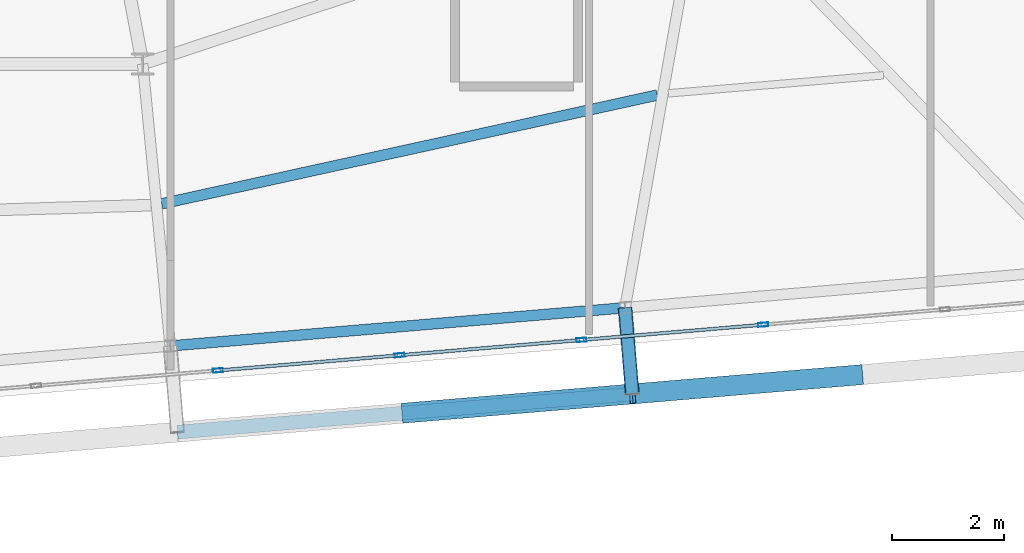
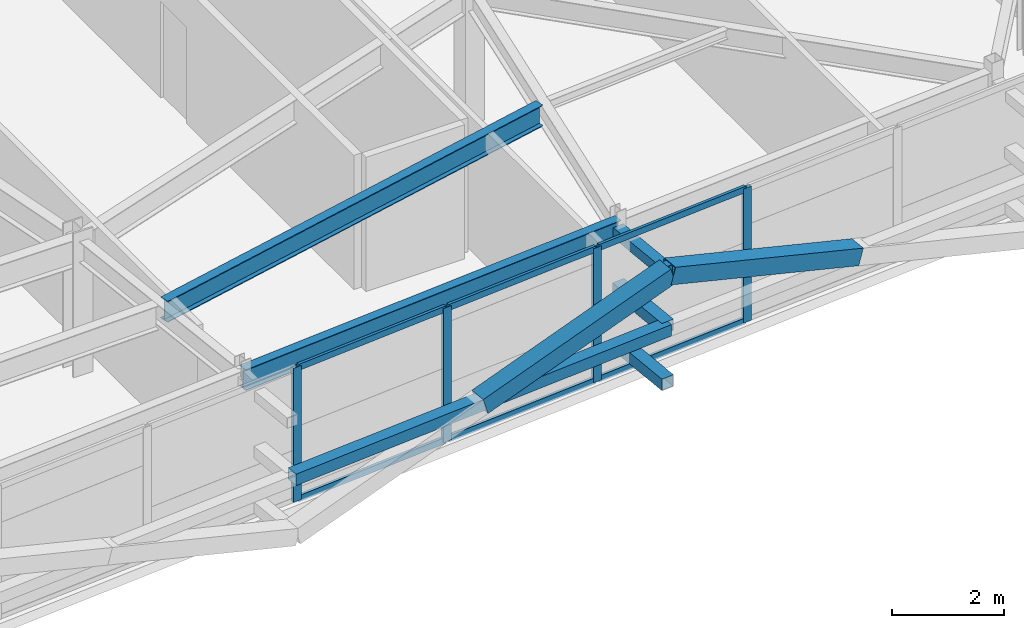
# One storey, part 19 of 46: 16 members, 2 beams, 1 element without a shape of its own.
"""IFC4 building model written with IfcOpenShell, lengths in metres."""

import ifcopenshell
import ifcopenshell.guid

model = None  # the IFC model being written
_history = None  # IfcOwnerHistory: only IFC2X3 demands one
_inside = {}  # id of a spatial element -> (the spatial element, [elements in it])
_under = {}  # id of a project, library or spatial element -> (it, [spatial elements below it])
_declared = {}  # id of a project -> (the project, [libraries it declares])
_typed = {}  # id of a type object -> (the type object, [elements of that type])
_made_of = {}  # id of a material, layer set ... -> (it, [elements and type objects made of it])


def new_model(schema):
    """Start an empty IFC model of exactly this schema.

    Asked for "IFC4X3", IfcOpenShell would pick the latest addendum, in which some entities
    have other attributes; the version numbers below select the first issue.
    IFC2X3 requires an IfcOwnerHistory on every rooted entity: one is made here for all.
    """
    global model, _history
    if schema == "IFC4X3":
        model = ifcopenshell.file(schema_version=(4, 3, 0, 0))
    else:
        model = ifcopenshell.file(schema=schema)
    _inside.clear()
    _under.clear()
    _declared.clear()
    _typed.clear()
    _made_of.clear()
    _history = None
    if model.schema == "IFC2X3":
        org = make("IfcOrganization", Name="unknown")
        user = make(
            "IfcPersonAndOrganization",
            ThePerson=make("IfcPerson", FamilyName="unknown"),
            TheOrganization=org,
        )
        app = make(
            "IfcApplication",
            ApplicationDeveloper=org,
            Version="unknown",
            ApplicationFullName="unknown",
            ApplicationIdentifier="unknown",
        )
        _history = make(
            "IfcOwnerHistory",
            OwningUser=user,
            OwningApplication=app,
            ChangeAction="ADDED",
            CreationDate=0,
        )
    return model


def make(cls, **values):
    """One entity of the class cls with the attributes given. An attribute that is None is left unset."""
    return model.create_entity(
        cls, **{name: value for name, value in values.items() if value is not None}
    )


def rooted(cls, **values):
    """An entity with a GlobalId (a new one), such as an element, a storey or a relation."""
    return make(cls, GlobalId=ifcopenshell.guid.new(), OwnerHistory=_history, **values)


def si_unit(unit_type, name, prefix=None):
    """IfcSIUnit, for example si_unit("LENGTHUNIT", "METRE", prefix="MILLI")."""
    return make("IfcSIUnit", UnitType=unit_type, Prefix=prefix, Name=name)


def assignment(units):
    """IfcUnitAssignment: the units of a project."""
    return None if units is None else make("IfcUnitAssignment", Units=units)


def point(xyz):
    """IfcCartesianPoint."""
    return None if xyz is None else make("IfcCartesianPoint", Coordinates=xyz)


def direction(xyz):
    """IfcDirection."""
    return None if xyz is None else make("IfcDirection", DirectionRatios=xyz)


def frame(location, z_axis=None, x_axis=None):
    """IfcAxis2Placement3D, a coordinate frame: its origin and axes. An axis left out is left unset."""
    return make(
        "IfcAxis2Placement3D",
        Location=point(location),
        Axis=direction(z_axis),
        RefDirection=direction(x_axis),
    )


def frame_2d(location, x_axis=None):
    """IfcAxis2Placement2D, a coordinate frame in the plane: its origin and x axis."""
    return make(
        "IfcAxis2Placement2D", Location=point(location), RefDirection=direction(x_axis)
    )


def origin():
    """The frame at (0, 0, 0) with its axes left unset."""
    return frame((0.0, 0.0, 0.0))


def origin_2d():
    """The frame at (0, 0) in the plane with its x axis left unset."""
    return frame_2d((0.0, 0.0))


def place(relative_to, where):
    """IfcLocalPlacement: puts the frame where relative to a parent placement (None: the world)."""
    return make(
        "IfcLocalPlacement", PlacementRelTo=relative_to, RelativePlacement=where
    )


def context(
    kind, dimensions, precision=None, world=None, true_north=None, identifier=None
):
    """IfcGeometricRepresentationContext, for example the 3D "Model" context."""
    return make(
        "IfcGeometricRepresentationContext",
        ContextIdentifier=identifier,
        ContextType=kind,
        CoordinateSpaceDimension=dimensions,
        Precision=precision,
        WorldCoordinateSystem=world,
        TrueNorth=true_north,
    )


def subcontext(parent, identifier, kind, view, scale=None):
    """IfcGeometricRepresentationSubContext, for example "Body" below "Model"."""
    return make(
        "IfcGeometricRepresentationSubContext",
        ContextIdentifier=identifier,
        ContextType=kind,
        ParentContext=parent,
        TargetScale=scale,
        TargetView=view,
    )


def project(units=None, contexts=None):
    """IfcProject with its units and contexts."""
    return rooted(
        "IfcProject",
        Name="project",
        RepresentationContexts=contexts,
        UnitsInContext=assignment(units),
    )


def spatial(cls, under=None, at=None, **own):
    """A site, building, storey or space (cls), placed at a placement, below another one or the project."""
    s = rooted(cls, ObjectPlacement=at, **own)
    if under is not None:
        _under.setdefault(under.id(), (under, []))[1].append(s)
    return s


def profile(cls, at=None, kind="AREA", **sizes):
    """A parametric profile (cls). Its sizes go by their IFC names, for example OverallWidth=200.0."""
    return make(cls, ProfileType=kind, Position=at, **sizes)


def hollow_rectangle(**sizes):
    """IfcRectangleHollowProfileDef."""
    return profile("IfcRectangleHollowProfileDef", **sizes)


def i_section(**sizes):
    """IfcIShapeProfileDef."""
    return profile("IfcIShapeProfileDef", **sizes)


def extrude(swept, where, along, depth):
    """IfcExtrudedAreaSolid: the profile swept, set in the frame where, extruded along a direction by depth."""
    return make(
        "IfcExtrudedAreaSolid",
        SweptArea=swept,
        Position=where,
        ExtrudedDirection=direction(along),
        Depth=depth,
    )


def shape(context_of_items, identifier, shape_type, items):
    """IfcShapeRepresentation: the items that make up one representation, for example the "Body"."""
    return make(
        "IfcShapeRepresentation",
        ContextOfItems=context_of_items,
        RepresentationIdentifier=identifier,
        RepresentationType=shape_type,
        Items=items,
    )


def source(mapping_origin, context_of_items, identifier, shape_type, items):
    """IfcRepresentationMap: a shape defined once, which mapped items show again and again."""
    return make(
        "IfcRepresentationMap",
        MappingOrigin=mapping_origin,
        MappedRepresentation=shape(context_of_items, identifier, shape_type, items),
    )


def transform(
    local_origin,
    x_axis=None,
    y_axis=None,
    z_axis=None,
    scale=None,
    scale2=None,
    scale3=None,
    uniform=True,
):
    """IfcCartesianTransformationOperator3D, or its non-uniform kind. x_axis, y_axis, z_axis: its Axis1, 2, 3."""
    if uniform:
        return make(
            "IfcCartesianTransformationOperator3D",
            Axis1=direction(x_axis),
            Axis2=direction(y_axis),
            LocalOrigin=point(local_origin),
            Scale=scale,
            Axis3=direction(z_axis),
        )
    return make(
        "IfcCartesianTransformationOperator3DnonUniform",
        Axis1=direction(x_axis),
        Axis2=direction(y_axis),
        LocalOrigin=point(local_origin),
        Scale=scale,
        Axis3=direction(z_axis),
        Scale2=scale2,
        Scale3=scale3,
    )


def mapped(mapping_source, mapping_target):
    """IfcMappedItem: shows the shape of a source again, moved by a transform."""
    return make(
        "IfcMappedItem", MappingSource=mapping_source, MappingTarget=mapping_target
    )


def material(Name=None, Category=None):
    """IfcMaterial."""
    return make("IfcMaterial", Name=Name, Category=Category)


def layer(
    of_material, thickness, ventilated=None, Name=None, Category=None, Priority=None
):
    """IfcMaterialLayer: one layer of a wall or slab, of a material (None: an air gap)."""
    return make(
        "IfcMaterialLayer",
        Material=of_material,
        LayerThickness=thickness,
        IsVentilated=ventilated,
        Name=Name,
        Category=Category,
        Priority=Priority,
    )


def layer_set(layers, Name=None):
    """IfcMaterialLayerSet."""
    return make("IfcMaterialLayerSet", MaterialLayers=layers, LayerSetName=Name)


def material_profile(
    of_material, cross_section, Name=None, Category=None, Priority=None
):
    """IfcMaterialProfile: a cross section and its material."""
    return make(
        "IfcMaterialProfile",
        Name=Name,
        Material=of_material,
        Profile=cross_section,
        Priority=Priority,
        Category=Category,
    )


def profile_set(profiles, Name=None, composite=None):
    """IfcMaterialProfileSet."""
    return make(
        "IfcMaterialProfileSet",
        Name=Name,
        MaterialProfiles=profiles,
        CompositeProfile=composite,
    )


def made_of(thing, what):
    """Note that an element or type object is made of a material, layer set ...; save() writes the relation."""
    if what is not None:
        _made_of.setdefault(what.id(), (what, []))[1].append(thing)
    return thing


def type_object(cls, material=None, **own):
    """A type object (cls), such as IfcWallType, which elements share."""
    return made_of(rooted(cls, **own), material)


def element(
    cls,
    number,
    at=None,
    inside=None,
    cuts=None,
    type_object=None,
    material=None,
    context=None,
    identifier="Body",
    shape_type=None,
    held_by="IfcProductDefinitionShape",
    body=None,
    shapes=None,
    **own,
):
    """One element of the class cls, such as IfcWall. Its Tag is "e" and its number.

    at: its placement. inside: the storey or other place that contains it. cuts: it is an
    opening in that element (IfcRelVoidsElement). A single representation is given by context,
    identifier, shape_type and body (its items); several are given by shapes. held_by: the class
    of the entity that holds the representations. save() writes the other relations.
    """
    e = rooted(cls, Tag="e%d" % number, ObjectPlacement=at, **own)
    if body is not None:
        shapes = [shape(context, identifier, shape_type, body)]
    if shapes is not None:
        e.Representation = make(held_by, Representations=shapes)
    if inside is not None:
        _inside.setdefault(inside.id(), (inside, []))[1].append(e)
    if cuts is not None:
        rooted(
            "IfcRelVoidsElement", RelatingBuildingElement=cuts, RelatedOpeningElement=e
        )
    if type_object is not None:
        _typed.setdefault(type_object.id(), (type_object, []))[1].append(e)
    return made_of(e, material)


def aggregate(whole, parts):
    """IfcRelAggregates: a whole, such as a stair, and the parts it consists of."""
    return rooted("IfcRelAggregates", RelatingObject=whole, RelatedObjects=parts)


def save(model, path):
    """Write the relations noted so far, then the file.

    IfcRelAggregates (storeys below a building ...), IfcRelContainedInSpatialStructure (elements
    in a storey), IfcRelDefinesByType, IfcRelAssociatesMaterial and IfcRelDeclares: one each for
    every whole, place, type object, material and project.
    """
    for whole, parts in _under.values():
        aggregate(whole, parts)
    for where, things in _inside.values():
        rooted(
            "IfcRelContainedInSpatialStructure",
            RelatedElements=things,
            RelatingStructure=where,
        )
    for kind, things in _typed.values():
        rooted("IfcRelDefinesByType", RelatedObjects=things, RelatingType=kind)
    for what, things in _made_of.values():
        rooted("IfcRelAssociatesMaterial", RelatedObjects=things, RelatingMaterial=what)
    for by, libraries in _declared.values():
        rooted("IfcRelDeclares", RelatingContext=by, RelatedDefinitions=libraries)
    model.write(path)


model = new_model("IFC4")

# Units and contexts
model_context = context("Model", 3, precision=1e-05, world=origin(), true_north=direction((0.0, 1.0)))
body_context = subcontext(model_context, "Body", "Model", "MODEL_VIEW")
ifc_project = project(units=[si_unit("LENGTHUNIT", "METRE"), si_unit("AREAUNIT", "SQUARE_METRE"), si_unit("VOLUMEUNIT", "CUBIC_METRE"), si_unit("PLANEANGLEUNIT", "RADIAN"), si_unit("MASSUNIT", "GRAM", prefix="KILO")], contexts=[model_context])

# Site, building, storey
site_placement = place(None, origin())
site = spatial("IfcSite", under=ifc_project, at=site_placement, CompositionType="ELEMENT")
building_placement = place(site_placement, origin())
building = spatial("IfcBuilding", under=site, at=building_placement, Name="Taldren Reach Tower", CompositionType="ELEMENT")
storey_placement = place(building_placement, frame((0.0, 0.0, 188.300048828125)))
storey = spatial("IfcBuildingStorey", under=building, at=storey_placement, Name="L57", CompositionType="ELEMENT", Elevation=188.300048828125)

# Members
ifc_material_1 = material(Name="Steel Gr 350 (C350L0)", Category="steel")
ifc_material_profile_1 = material_profile(ifc_material_1, hollow_rectangle(XDim=0.25, YDim=0.25, WallThickness=0.010009765625, at=origin_2d()), Name="250x250x10.0SHS")
ifc_profile_set_1 = profile_set([ifc_material_profile_1], Name="Steel Gr 350 (C350L0)")
member_type_1 = type_object("IfcMemberType", Name="MB-POST250", PredefinedType="POST", material=ifc_profile_set_1)
shared_shape_1 = source(origin(), body_context, "Body", "SweptSolid", [
    extrude(hollow_rectangle(XDim=0.25, YDim=0.25, WallThickness=0.010009765625, at=origin_2d()), origin(), (0.0, 0.0, 1.0), 1.550048828125),
])
for number, where, z_axis, x_axis, name in (
    (1, (50.644775390625, 4.83203125, 0.219970703125), (0.083788408178, -0.996483568683, 0.0), (0.996483568683, 0.083788408178, 0.0), "Exoskeleton base diaphragm tie strut B4-S5 L57"),
    (2, (50.644775390625, 4.83203125, 1.43505859375), (0.083788408178, -0.996483568683, 0.0), (0.996483568683, 0.083788408178, 0.0), "Exoskeleton mid-tier diaphragm tie B4-S5 L57"),
):
    element("IfcMember", number, at=place(storey_placement, frame(where, z_axis=z_axis, x_axis=x_axis)), inside=storey, type_object=member_type_1, Name=name, PredefinedType="POST", context=body_context, shape_type="MappedRepresentation", body=[
        mapped(shared_shape_1, transform((0.0, 0.0, 0.0), scale=1.0)),
    ])

# Beams
ifc_material_2 = material(Name="Steel Gr 350 (350PLUS)", Category="steel")
ifc_material_profile_2 = material_profile(ifc_material_2, i_section(OverallWidth=0.18994140625, OverallDepth=0.4541015625, WebThickness=0.008544921875, FlangeThickness=0.0126953125, at=origin_2d()), Name="460UB67.1")
ifc_profile_set_2 = profile_set([ifc_material_profile_2], Name="Steel Gr 350 (350PLUS)")
beam_type_1 = type_object("IfcBeamType", Name="SP-UB460B", PredefinedType="SPANDREL", material=ifc_profile_set_2)
shared_shape_2 = source(origin(), body_context, "Body", "SweptSolid", [
    extrude(i_section(OverallWidth=0.18994140625, OverallDepth=0.4541015625, WebThickness=0.008544921875, FlangeThickness=0.0126953125, at=origin_2d()), origin(), (0.0, 0.0, 1.0), 8.179931640625),
])
beam_1_placement = place(storey_placement, frame((42.49365234375, 4.1474609375, 2.702880859375), z_axis=(0.99649182565, 0.08369015123, 0.0), x_axis=(-0.08369015123, 0.99649182565, 0.0)))
element("IfcBeam", 3, at=beam_1_placement, inside=storey, type_object=beam_type_1, Name="Perimeter spandrel B4 S4-S5 L57", PredefinedType="SPANDREL", context=body_context, shape_type="MappedRepresentation", body=[
    mapped(shared_shape_2, transform((0.0, 0.0, 0.0), scale=1.0)),
])
ifc_material_profile_3 = material_profile(ifc_material_2, i_section(OverallWidth=0.19091796875, OverallDepth=0.4599609375, WebThickness=0.010009765625, FlangeThickness=0.01611328125, at=origin_2d()), Name="460UB82.1")
ifc_profile_set_3 = profile_set([ifc_material_profile_3], Name="Steel Gr 350 (350PLUS)")
beam_type_2 = type_object("IfcBeamType", Name="BM-UB460A", PredefinedType="BEAM", material=ifc_profile_set_3)
shared_shape_3 = source(origin(), body_context, "Body", "SweptSolid", [
    extrude(i_section(OverallWidth=0.19091796875, OverallDepth=0.4599609375, WebThickness=0.010009765625, FlangeThickness=0.01611328125, at=origin_2d()), origin(), (0.0, 0.0, 1.0), 9.09228515625),
])
beam_2_placement = place(storey_placement, frame((42.3408203125, 6.6943359375, 2.699951171875), z_axis=(0.97674420602, 0.214407919647, 0.0), x_axis=(-0.214407919647, 0.97674420602, 0.0)))
element("IfcBeam", 4, at=beam_2_placement, inside=storey, type_object=beam_type_2, Name="Secondary floor beam B4 J4 L57", PredefinedType="BEAM", context=body_context, shape_type="MappedRepresentation", body=[
    mapped(shared_shape_3, transform((0.0, 0.0, 0.0), scale=1.0)),
])

# Members
ifc_material_3 = material(Name="Steel Gr 450 (C450L0)", Category="steel")
ifc_material_profile_4 = material_profile(ifc_material_3, hollow_rectangle(XDim=0.219970703125, YDim=0.219970703125, WallThickness=0.00830078125, at=origin_2d()), Name="220x220x8.2SHS")
ifc_profile_set_4 = profile_set([ifc_material_profile_4], Name="Steel Gr 450 (C450L0)")
member_type_2 = type_object("IfcMemberType", Name="MB-TIE219", PredefinedType="STRUT", material=ifc_profile_set_4)
shared_shape_4 = source(origin(), body_context, "Body", "SweptSolid", [
    extrude(hollow_rectangle(XDim=0.219970703125, YDim=0.219970703125, WallThickness=0.00830078125, at=origin_2d()), origin(), (0.0, 0.0, 1.0), 1.550048828125),
])
member_1_placement = place(storey_placement, frame((50.644775390625, 4.83203125, 2.64990234375), z_axis=(0.083788408178, -0.996483568683, 0.0), x_axis=(0.996483568683, 0.083788408178, 0.0)))
element("IfcMember", 5, at=member_1_placement, inside=storey, type_object=member_type_2, Name="Exoskeleton diaphragm tie strut B4-S5 L57", PredefinedType="STRUT", context=body_context, shape_type="MappedRepresentation", body=[
    mapped(shared_shape_4, transform((0.0, 0.0, 0.0), scale=1.0)),
])
shared_shape_5 = source(origin(), body_context, "Body", "SweptSolid", [
    extrude(hollow_rectangle(XDim=0.25, YDim=0.25, WallThickness=0.010009765625, at=origin_2d()), origin(), (0.0, 0.0, 1.0), 8.179931640625),
])
member_2_placement = place(storey_placement, frame((42.623291015625, 2.60302734375, 1.43505859375), z_axis=(0.996494523218, 0.083658025296, 0.0), x_axis=(-0.083658025296, 0.996494523218, 0.0)))
element("IfcMember", 6, at=member_2_placement, inside=storey, type_object=member_type_1, Name="Exoskeleton mid-height ring chord B4-S4 L57", PredefinedType="POST", context=body_context, shape_type="MappedRepresentation", body=[
    mapped(shared_shape_5, transform((0.0, 0.0, 0.0), scale=1.0)),
])
ifc_material_profile_5 = material_profile(ifc_material_3, hollow_rectangle(XDim=0.360107421875, YDim=0.360107421875, WallThickness=0.0126953125, at=origin_2d()), Name="360x360x12.7SHS")
ifc_profile_set_5 = profile_set([ifc_material_profile_5], Name="Steel Gr 450 (C450L0)")
member_type_3 = type_object("IfcMemberType", Name="MB-EXO356", PredefinedType="BRACE", material=ifc_profile_set_5)
shared_shape_6 = source(origin(), body_context, "Body", "SweptSolid", [
    extrude(hollow_rectangle(XDim=0.360107421875, YDim=0.360107421875, WallThickness=0.0126953125, at=origin_2d()), origin(), (0.0, 0.0, 1.0), 4.2666015625),
])
for number, where, z_axis, x_axis, name in (
    (7, (46.698974609375, 2.945068359375, 1.43505859375), (0.955244723646, 0.080223619417, 0.284730906006), (-0.083687662192, 0.996492034688, 0.0), "Exoskeleton Diagrid Brace B4-S4 L57"),
    (8, (54.850341796875, 3.629638671875, 1.43505859375), (-0.955244723646, -0.080223619417, 0.284730906006), (0.083687662192, -0.996492034688, 0.0), "Exoskeleton Diagrid Brace B4-S5 L57"),
):
    element("IfcMember", number, at=place(storey_placement, frame(where, z_axis=z_axis, x_axis=x_axis)), inside=storey, type_object=member_type_3, Name=name, PredefinedType="BRACE", context=body_context, shape_type="MappedRepresentation", body=[
        mapped(shared_shape_6, transform((0.0, 0.0, 0.0), scale=1.0)),
    ])

# Curtain wall, members
ifc_material_4 = material(Name="Aluminium and Low-E Glass Unitised System", Category="aluminium")
ifc_layer = layer(ifc_material_4, 0.159912109375)
ifc_layer_set = layer_set([ifc_layer], Name="Aluminium and Low-E Glass Unitised System")
curtain_wall_type = type_object("IfcCurtainWallType", Name="CW-SYS-5", PredefinedType="NOTDEFINED", material=ifc_layer_set)
curtain_wall_placement = place(storey_placement, origin())
curtain_wall = element("IfcCurtainWall", 9, at=curtain_wall_placement, inside=storey, type_object=curtain_wall_type, Name="Unitised curtain wall CW-L57-S", PredefinedType="NOTDEFINED")
ifc_material_5 = material(Name="Anodised Aluminium 6063-T6", Category="aluminium")
ifc_material_profile_6 = material_profile(ifc_material_5, hollow_rectangle(XDim=0.070068359375, YDim=0.179931640625, WallThickness=0.00390625, at=origin_2d()), Name="ALU-180x70x4RHS")
ifc_profile_set_6 = profile_set([ifc_material_profile_6], Name="Anodised Aluminium 6063-T6")
member_type_4 = type_object("IfcMemberType", Name="CW-MUL-180", PredefinedType="MULLION", material=ifc_profile_set_6)
shared_shape_7 = source(origin(), body_context, "Body", "SweptSolid", [
    extrude(hollow_rectangle(XDim=0.070068359375, YDim=0.179931640625, WallThickness=0.00390625, at=origin_2d()), origin(), (0.0, 0.0, 1.0), 2.929931640625),
])
member_3_placement = place(storey_placement, frame((43.34716796875, 3.707275390625, 0.0), z_axis=(0.0, 0.0, 1.0), x_axis=(-0.083677894865, 0.996492854922, 0.0)))
member_3 = element("IfcMember", 10, at=member_3_placement, type_object=member_type_4, Name="CW-5 mullion 9", PredefinedType="MULLION", context=body_context, shape_type="MappedRepresentation", body=[
    mapped(shared_shape_7, transform((0.0, 0.0, 0.0), scale=1.0)),
])
member_4_placement = place(storey_placement, frame((46.60498046875, 3.98095703125, 0.0), z_axis=(0.0, 0.0, 1.0), x_axis=(-0.083677894865, 0.996492854922, 0.0)))
member_4 = element("IfcMember", 11, at=member_4_placement, type_object=member_type_4, Name="CW-5 mullion 10", PredefinedType="MULLION", context=body_context, shape_type="MappedRepresentation", body=[
    mapped(shared_shape_7, transform((0.0, 0.0, 0.0), scale=1.0)),
])
member_5_placement = place(storey_placement, frame((49.86279296875, 4.25439453125, 0.0), z_axis=(0.0, 0.0, 1.0), x_axis=(-0.083677894865, 0.996492854922, 0.0)))
member_5 = element("IfcMember", 12, at=member_5_placement, type_object=member_type_4, Name="CW-5 mullion 11", PredefinedType="MULLION", context=body_context, shape_type="MappedRepresentation", body=[
    mapped(shared_shape_7, transform((0.0, 0.0, 0.0), scale=1.0)),
])
member_6_placement = place(storey_placement, frame((53.12060546875, 4.528076171875, 0.0), z_axis=(0.0, 0.0, 1.0), x_axis=(-0.083677894865, 0.996492854922, 0.0)))
member_6 = element("IfcMember", 13, at=member_6_placement, type_object=member_type_4, Name="CW-5 mullion 12", PredefinedType="MULLION", context=body_context, shape_type="MappedRepresentation", body=[
    mapped(shared_shape_7, transform((0.0, 0.0, 0.0), scale=1.0)),
])
ifc_material_profile_7 = material_profile(ifc_material_5, hollow_rectangle(XDim=0.06005859375, YDim=0.135009765625, WallThickness=0.00341796875, at=origin_2d()), Name="ALU-135x60x3.5RHS")
ifc_profile_set_7 = profile_set([ifc_material_profile_7], Name="Anodised Aluminium 6063-T6")
member_type_5 = type_object("IfcMemberType", Name="CW-TRN-150", PredefinedType="USERDEFINED", material=ifc_profile_set_7)
shared_shape_8 = source(origin(), body_context, "Body", "SweptSolid", [
    extrude(hollow_rectangle(XDim=0.06005859375, YDim=0.135009765625, WallThickness=0.00341796875, at=origin_2d()), origin(), (0.0, 0.0, 1.0), 3.19921875),
])
member_7_placement = place(storey_placement, frame((43.382080078125, 3.710205078125, 0.030029296875), z_axis=(0.996489746258, 0.083714906697, 0.0), x_axis=(-0.083714906697, 0.996489746258, 0.0)))
member_7 = element("IfcMember", 14, at=member_7_placement, type_object=member_type_5, Name="CW-5 transom 9.1", ObjectType="TRANSOM", PredefinedType="USERDEFINED", context=body_context, shape_type="MappedRepresentation", body=[
    mapped(shared_shape_8, transform((0.0, 0.0, 0.0), scale=1.0)),
])
member_8_placement = place(storey_placement, frame((43.382080078125, 3.710205078125, 2.89990234375), z_axis=(0.996489746258, 0.083714906697, 0.0), x_axis=(-0.083714906697, 0.996489746258, 0.0)))
member_8 = element("IfcMember", 15, at=member_8_placement, type_object=member_type_5, Name="CW-5 transom 9.2", ObjectType="TRANSOM", PredefinedType="USERDEFINED", context=body_context, shape_type="MappedRepresentation", body=[
    mapped(shared_shape_8, transform((0.0, 0.0, 0.0), scale=1.0)),
])
member_9_placement = place(storey_placement, frame((46.639892578125, 3.98388671875, 0.030029296875), z_axis=(0.996496109493, 0.083639128198, 0.0), x_axis=(-0.083639128198, 0.996496109493, 0.0)))
member_9 = element("IfcMember", 16, at=member_9_placement, type_object=member_type_5, Name="CW-5 transom 10.1", ObjectType="TRANSOM", PredefinedType="USERDEFINED", context=body_context, shape_type="MappedRepresentation", body=[
    mapped(shared_shape_8, transform((0.0, 0.0, 0.0), scale=1.0)),
])
member_10_placement = place(storey_placement, frame((46.639892578125, 3.98388671875, 2.89990234375), z_axis=(0.996496109493, 0.083639128198, 0.0), x_axis=(-0.083639128198, 0.996496109493, 0.0)))
member_10 = element("IfcMember", 17, at=member_10_placement, type_object=member_type_5, Name="CW-5 transom 10.2", ObjectType="TRANSOM", PredefinedType="USERDEFINED", context=body_context, shape_type="MappedRepresentation", body=[
    mapped(shared_shape_8, transform((0.0, 0.0, 0.0), scale=1.0)),
])
member_11_placement = place(storey_placement, frame((49.897705078125, 4.25732421875, 0.030029296875), z_axis=(0.996489746258, 0.083714906697, 0.0), x_axis=(-0.083714906697, 0.996489746258, 0.0)))
member_11 = element("IfcMember", 18, at=member_11_placement, type_object=member_type_5, Name="CW-5 transom 11.1", ObjectType="TRANSOM", PredefinedType="USERDEFINED", context=body_context, shape_type="MappedRepresentation", body=[
    mapped(shared_shape_8, transform((0.0, 0.0, 0.0), scale=1.0)),
])
member_12_placement = place(storey_placement, frame((49.897705078125, 4.25732421875, 2.89990234375), z_axis=(0.996489746258, 0.083714906697, 0.0), x_axis=(-0.083714906697, 0.996489746258, 0.0)))
member_12 = element("IfcMember", 19, at=member_12_placement, type_object=member_type_5, Name="CW-5 transom 11.2", ObjectType="TRANSOM", PredefinedType="USERDEFINED", context=body_context, shape_type="MappedRepresentation", body=[
    mapped(shared_shape_8, transform((0.0, 0.0, 0.0), scale=1.0)),
])
aggregate(curtain_wall, [member_3, member_4, member_5, member_6, member_7, member_8, member_9, member_10, member_11, member_12])

save(model, "model.ifc")
